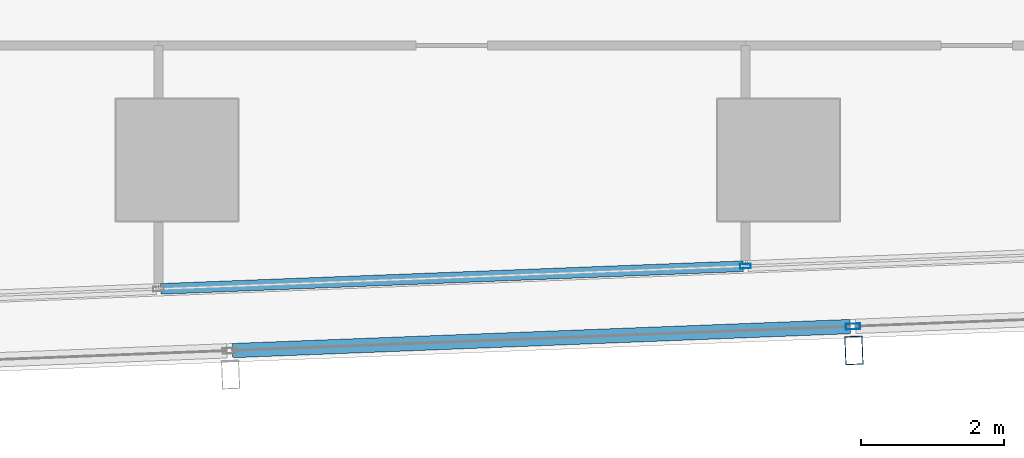
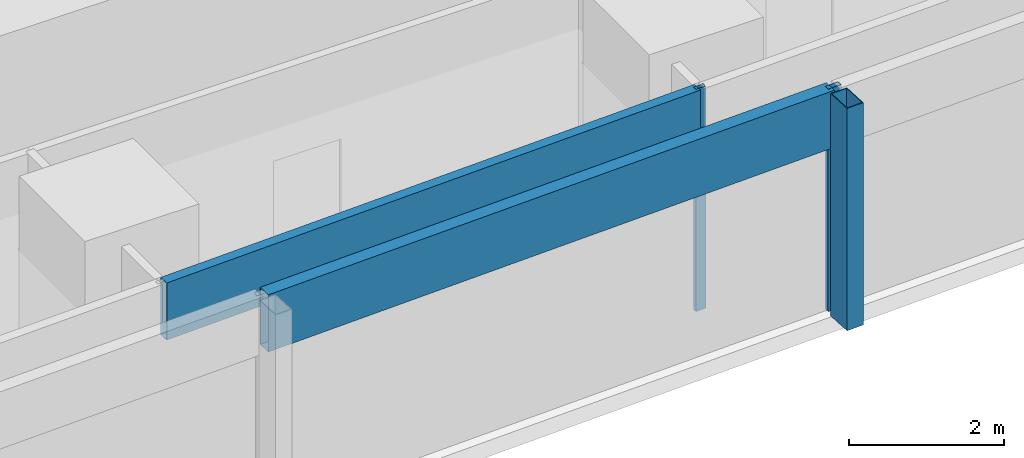
# One storey, part 10 of 40: 5 members, 2 elements without a shape of their own.
"""IFC4 building model written with IfcOpenShell, lengths in metres."""

from ifc_helpers import new_model, si_unit, direction, frame, origin, origin_2d, place, context, subcontext, project, spatial, hollow_rectangle, extrude, material, material_profile, profile_set, type_object, element, aggregate, save


model = new_model("IFC4")

# Units and contexts
model_context = context("Model", 3, precision=1e-05, world=origin(), true_north=direction((0.0, 1.0)))
body_context = subcontext(model_context, "Body", "Model", "MODEL_VIEW")
ifc_project = project(units=[si_unit("LENGTHUNIT", "METRE"), si_unit("AREAUNIT", "SQUARE_METRE"), si_unit("VOLUMEUNIT", "CUBIC_METRE"), si_unit("PLANEANGLEUNIT", "RADIAN"), si_unit("MASSUNIT", "GRAM", prefix="KILO")], contexts=[model_context])

# Site, building, storey
site_placement = place(None, origin())
site = spatial("IfcSite", under=ifc_project, at=site_placement, CompositionType="ELEMENT")
building_placement = place(site_placement, origin())
building = spatial("IfcBuilding", under=site, at=building_placement, Name="Rekha Terrace Tower", CompositionType="ELEMENT")
storey_placement = place(building_placement, frame((0.0, 0.0, 117.800048828125)))
storey = spatial("IfcBuildingStorey", under=building, at=storey_placement, Name="L29", CompositionType="ELEMENT", Elevation=117.800048828125)

# Curtain wall, member
ifc_material_1 = material(Name="Aluminium framing", Category="aluminium")
curtain_wall_type_1 = type_object("IfcCurtainWallType", Name="CW2 double skin outer glazing", PredefinedType="USERDEFINED", material=ifc_material_1)
curtain_wall_1_placement = place(storey_placement, origin())
curtain_wall_1 = element("IfcCurtainWall", 1, at=curtain_wall_1_placement, inside=storey, type_object=curtain_wall_type_1, Name="CW2 double skin outer glazing", ObjectType="DOUBLE SKIN OUTER GLAZING", PredefinedType="USERDEFINED")
ifc_material_2 = material(Name="Steel S355 with fluorocarbon finish", Category="steel")
ifc_material_profile_1 = material_profile(ifc_material_2, hollow_rectangle(XDim=0.25, YDim=0.39990234375, WallThickness=0.012451171875, at=origin_2d()), Name="RHS400x250x12.5")
ifc_profile_set_1 = profile_set([ifc_material_profile_1], Name="Steel S355 with fluorocarbon finish")
member_type_1 = type_object("IfcMemberType", Name="BL1 facade blade RHS 400 x 250", PredefinedType="USERDEFINED", material=ifc_profile_set_1)
member_1_placement = place(storey_placement, frame((51.4521484375, 14.141845703125, 0.0), z_axis=(0.0, 0.0, 1.0), x_axis=(0.999243494356, 0.038890088543, 0.0)))
member_1 = element("IfcMember", 2, at=member_1_placement, type_object=member_type_1, Name="Facade blade", ObjectType="FACADE BLADE", PredefinedType="USERDEFINED", context=body_context, shape_type="SweptSolid", body=[
    extrude(hollow_rectangle(XDim=0.25, YDim=0.39990234375, WallThickness=0.012451171875, at=origin_2d()), origin(), (0.0, 0.0, 1.0), 3.5),
])

# Curtain wall, members
curtain_wall_type_2 = type_object("IfcCurtainWallType", Name="CW1 double skin inner glazing", PredefinedType="USERDEFINED", material=ifc_material_1)
curtain_wall_2_placement = place(storey_placement, origin())
curtain_wall_2 = element("IfcCurtainWall", 3, at=curtain_wall_2_placement, inside=storey, type_object=curtain_wall_type_2, Name="CW1 double skin inner glazing", ObjectType="DOUBLE SKIN INNER GLAZING", PredefinedType="USERDEFINED")
ifc_material_3 = material(Name="Aluminium mullion section", Category="aluminium")
ifc_material_profile_2 = material_profile(ifc_material_3, hollow_rectangle(XDim=0.06494140625, YDim=0.14990234375, WallThickness=0.00390625, at=origin_2d()), Name="AL RHS 65x150")
ifc_profile_set_2 = profile_set([ifc_material_profile_2], Name="Aluminium mullion section")
member_type_2 = type_object("IfcMemberType", Name="CW1 mullion RHS 65 x 150", PredefinedType="MULLION", material=ifc_profile_set_2)
member_2_placement = place(storey_placement, frame((49.936767578125, 15.31884765625, 0.0), z_axis=(0.0, 0.0, 1.0), x_axis=(-0.038889971345, 0.999243498917, 0.0)))
member_2 = element("IfcMember", 4, at=member_2_placement, type_object=member_type_2, Name="CW1 mullion 4", PredefinedType="MULLION", context=body_context, shape_type="SweptSolid", body=[
    extrude(hollow_rectangle(XDim=0.06494140625, YDim=0.14990234375, WallThickness=0.00390625, at=origin_2d()), origin(), (0.0, 0.0, 1.0), 3.5),
])
ifc_material_4 = material(Name="Insulated aluminium spandrel box", Category="aluminium")
ifc_material_profile_3 = material_profile(ifc_material_4, hollow_rectangle(XDim=0.14990234375, YDim=0.89990234375, WallThickness=0.0029296875, at=origin_2d()), Name="AL SPANDREL BOX 150x900")
ifc_profile_set_3 = profile_set([ifc_material_profile_3], Name="Insulated aluminium spandrel box")
member_type_3 = type_object("IfcMemberType", Name="CW1 spandrel transom 150 x 900", PredefinedType="USERDEFINED", material=ifc_profile_set_3)
member_3_placement = place(storey_placement, frame((41.772705078125, 15.001220703125, 3.050048828125), z_axis=(0.999243835719, 0.038881316573, 0.0), x_axis=(-0.038881316573, 0.999243835719, 0.0)))
member_3 = element("IfcMember", 5, at=member_3_placement, type_object=member_type_3, Name="CW1 spandrel transom 3", ObjectType="TRANSOM", PredefinedType="USERDEFINED", context=body_context, shape_type="SweptSolid", body=[
    extrude(hollow_rectangle(XDim=0.14990234375, YDim=0.89990234375, WallThickness=0.0029296875, at=origin_2d()), origin(), (0.0, 0.0, 1.0), 8.1376953125),
])
aggregate(curtain_wall_2, [member_2, member_3])

# Member
ifc_material_profile_4 = material_profile(ifc_material_3, hollow_rectangle(XDim=0.080078125, YDim=0.199951171875, WallThickness=0.00390625, at=origin_2d()), Name="AL RHS 80x200")
ifc_profile_set_4 = profile_set([ifc_material_profile_4], Name="Aluminium mullion section")
member_type_4 = type_object("IfcMemberType", Name="CW2 mullion RHS 80 x 200", PredefinedType="MULLION", material=ifc_profile_set_4)
member_4_placement = place(storey_placement, frame((51.439208984375, 14.4765625, 0.0), z_axis=(0.0, 0.0, 1.0), x_axis=(-0.038889971345, 0.999243498917, 0.0)))
member_4 = element("IfcMember", 6, at=member_4_placement, type_object=member_type_4, Name="CW2 mullion 4", PredefinedType="MULLION", context=body_context, shape_type="SweptSolid", body=[
    extrude(hollow_rectangle(XDim=0.080078125, YDim=0.199951171875, WallThickness=0.00390625, at=origin_2d()), origin(), (0.0, 0.0, 1.0), 3.5),
])

ifc_material_profile_5 = material_profile(ifc_material_4, hollow_rectangle(XDim=0.199951171875, YDim=0.89990234375, WallThickness=0.0029296875, at=origin_2d()), Name="AL SPANDREL BOX 200x900")
ifc_profile_set_5 = profile_set([ifc_material_profile_5], Name="Insulated aluminium spandrel box")
member_type_5 = type_object("IfcMemberType", Name="CW2 spandrel transom 200 x 900", PredefinedType="USERDEFINED", material=ifc_profile_set_5)
member_5_placement = place(storey_placement, frame((42.774169921875, 14.139404296875, 3.050048828125), z_axis=(0.999243438523, 0.038891523097, 0.0), x_axis=(-0.038891523097, 0.999243438523, 0.0)))
member_5 = element("IfcMember", 7, at=member_5_placement, type_object=member_type_5, Name="CW2 spandrel transom 3", ObjectType="TRANSOM", PredefinedType="USERDEFINED", context=body_context, shape_type="SweptSolid", body=[
    extrude(hollow_rectangle(XDim=0.199951171875, YDim=0.89990234375, WallThickness=0.0029296875, at=origin_2d()), origin(), (0.0, 0.0, 1.0), 8.631591796875),
])

aggregate(curtain_wall_1, [member_4, member_5, member_1])

save(model, "model.ifc")
